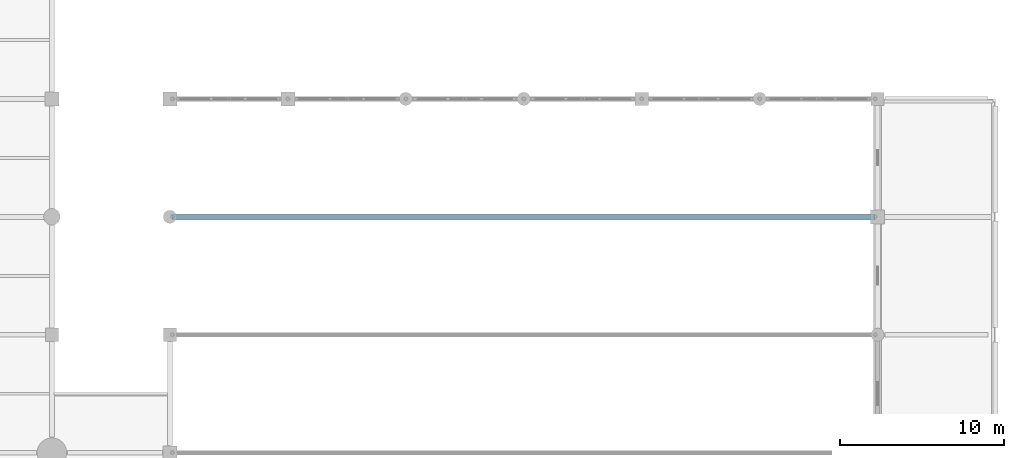
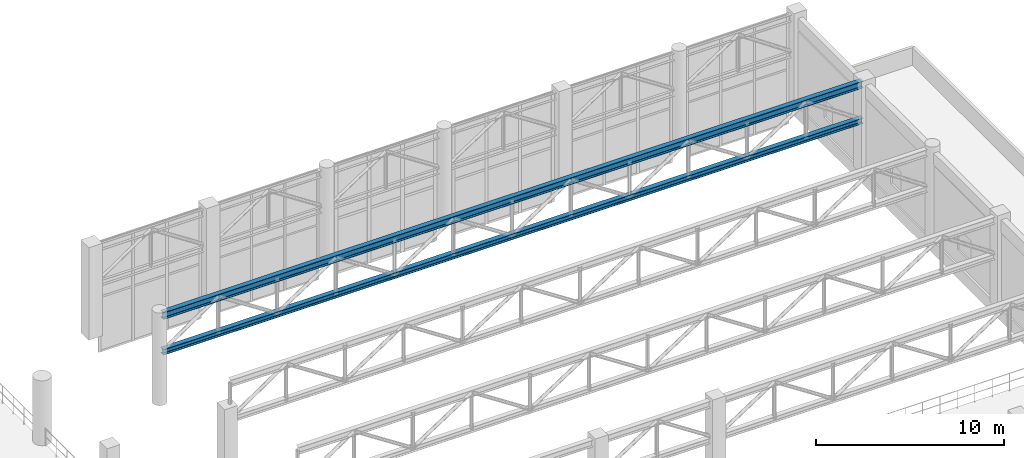
# One storey, part 101 of 153: 2 beams.
"""IFC4 building model written with IfcOpenShell, lengths in metres."""

from ifc_helpers import new_model, si_unit, direction, frame, origin, origin_2d, place, context, subcontext, project, spatial, i_section, extrude, material, material_profile, profile_set, type_object, element, save


model = new_model("IFC4")

# Units and contexts
model_context = context("Model", 3, precision=1e-05, world=origin(), true_north=direction((0.0, 1.0)))
body_context = subcontext(model_context, "Body", "Model", "MODEL_VIEW")
ifc_project = project(units=[si_unit("LENGTHUNIT", "METRE"), si_unit("AREAUNIT", "SQUARE_METRE"), si_unit("VOLUMEUNIT", "CUBIC_METRE"), si_unit("PLANEANGLEUNIT", "RADIAN"), si_unit("MASSUNIT", "GRAM", prefix="KILO")], contexts=[model_context])

# Site, building, storey
site_placement = place(None, origin())
site = spatial("IfcSite", under=ifc_project, at=site_placement, CompositionType="ELEMENT")
building_placement = place(site_placement, origin())
building = spatial("IfcBuilding", under=site, at=building_placement, Name="Qandorah Velis Arena", CompositionType="ELEMENT")
storey_placement = place(building_placement, frame((0.0, 0.0, 5.39990234375)))
storey = spatial("IfcBuildingStorey", under=building, at=storey_placement, Name="L01", CompositionType="ELEMENT", Elevation=5.39990234375)

# Beams
ifc_material = material(Name="Steel S355", Category="steel")
ifc_material_profile_1 = material_profile(ifc_material, i_section(OverallWidth=0.300048828125, OverallDepth=0.360107421875, WebThickness=0.012451171875, FlangeThickness=0.0224609375, FilletRadius=0.027099609375, at=origin_2d()), Name="HEB 360")
ifc_profile_set_1 = profile_set([ifc_material_profile_1], Name="Steel S355")
beam_type_1 = type_object("IfcBeamType", Name="STR-BM-HEB360", PredefinedType="BEAM", material=ifc_profile_set_1)
beam_1_placement = place(storey_placement, frame((122.550048828125, 115.199951171875, 3.205078125), z_axis=(1.0, 0.0, 0.0), x_axis=(0.0, 1.0, 0.0)))
element("IfcBeam", 1, at=beam_1_placement, inside=storey, type_object=beam_type_1, Name="Practice court roof truss 4 bottom chord", PredefinedType="BEAM", context=body_context, shape_type="SweptSolid", body=[
    extrude(i_section(OverallWidth=0.300048828125, OverallDepth=0.360107421875, WebThickness=0.012451171875, FlangeThickness=0.0224609375, FilletRadius=0.027099609375, at=origin_2d()), origin(), (0.0, 0.0, 1.0), 42.89990234375),
])
ifc_material_profile_2 = material_profile(ifc_material, i_section(OverallWidth=0.300048828125, OverallDepth=0.449951171875, WebThickness=0.013916015625, FlangeThickness=0.02587890625, FilletRadius=0.027099609375, at=origin_2d()), Name="HEB 450")
ifc_profile_set_2 = profile_set([ifc_material_profile_2], Name="Steel S355")
beam_type_2 = type_object("IfcBeamType", Name="STR-BM-HEB450", PredefinedType="BEAM", material=ifc_profile_set_2)
beam_2_placement = place(storey_placement, frame((122.550048828125, 115.199951171875, 5.55517578125), z_axis=(1.0, 0.0, 0.0), x_axis=(0.0, 1.0, 0.0)))
element("IfcBeam", 2, at=beam_2_placement, inside=storey, type_object=beam_type_2, Name="Practice court roof truss 4 top chord", PredefinedType="BEAM", context=body_context, shape_type="SweptSolid", body=[
    extrude(i_section(OverallWidth=0.300048828125, OverallDepth=0.449951171875, WebThickness=0.013916015625, FlangeThickness=0.02587890625, FilletRadius=0.027099609375, at=origin_2d()), origin(), (0.0, 0.0, 1.0), 42.89990234375),
])

save(model, "model.ifc")
